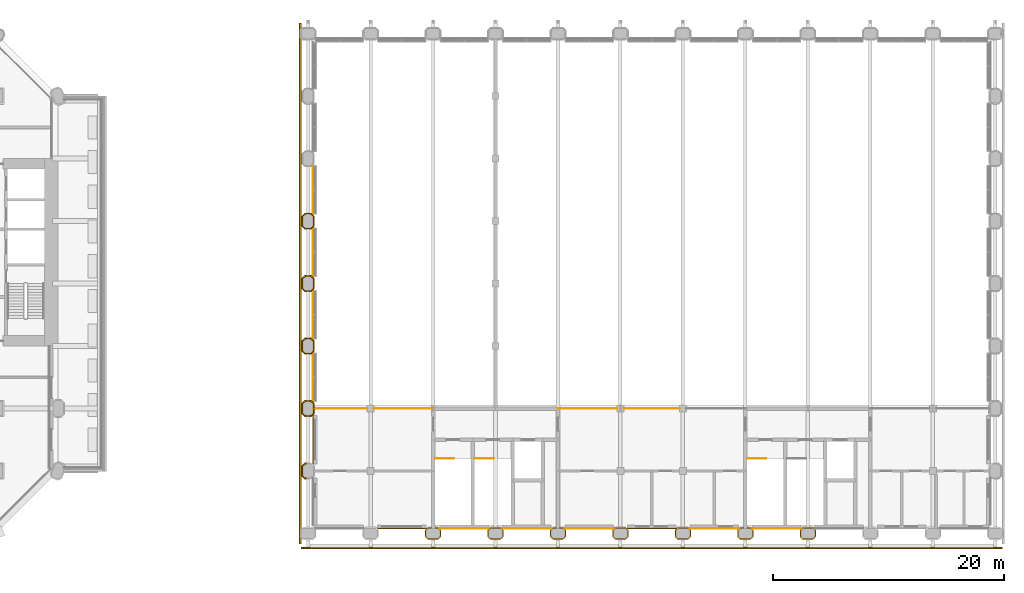
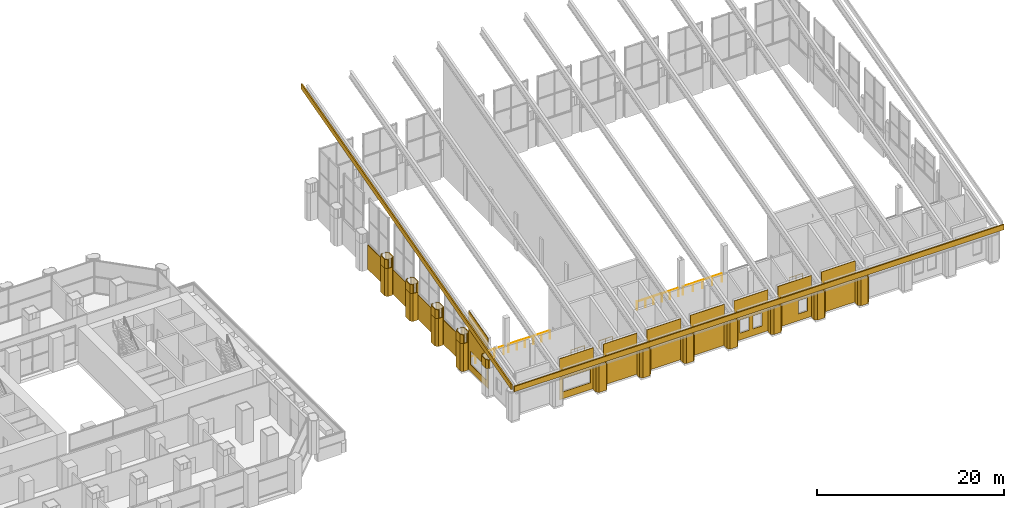
# One storey, part 39 of 42: 35 coverings, 7 railings.
"""IFC4 building model written with IfcOpenShell, lengths in metres."""

import ifcopenshell
import ifcopenshell.guid

model = None  # the IFC model being written
_history = None  # IfcOwnerHistory: only IFC2X3 demands one
_inside = {}  # id of a spatial element -> (the spatial element, [elements in it])
_under = {}  # id of a project, library or spatial element -> (it, [spatial elements below it])
_declared = {}  # id of a project -> (the project, [libraries it declares])
_typed = {}  # id of a type object -> (the type object, [elements of that type])
_made_of = {}  # id of a material, layer set ... -> (it, [elements and type objects made of it])


def new_model(schema):
    """Start an empty IFC model of exactly this schema.

    Asked for "IFC4X3", IfcOpenShell would pick the latest addendum, in which some entities
    have other attributes; the version numbers below select the first issue.
    IFC2X3 requires an IfcOwnerHistory on every rooted entity: one is made here for all.
    """
    global model, _history
    if schema == "IFC4X3":
        model = ifcopenshell.file(schema_version=(4, 3, 0, 0))
    else:
        model = ifcopenshell.file(schema=schema)
    _inside.clear()
    _under.clear()
    _declared.clear()
    _typed.clear()
    _made_of.clear()
    _history = None
    if model.schema == "IFC2X3":
        org = make("IfcOrganization", Name="unknown")
        user = make(
            "IfcPersonAndOrganization",
            ThePerson=make("IfcPerson", FamilyName="unknown"),
            TheOrganization=org,
        )
        app = make(
            "IfcApplication",
            ApplicationDeveloper=org,
            Version="unknown",
            ApplicationFullName="unknown",
            ApplicationIdentifier="unknown",
        )
        _history = make(
            "IfcOwnerHistory",
            OwningUser=user,
            OwningApplication=app,
            ChangeAction="ADDED",
            CreationDate=0,
        )
    return model


def make(cls, **values):
    """One entity of the class cls with the attributes given. An attribute that is None is left unset."""
    return model.create_entity(
        cls, **{name: value for name, value in values.items() if value is not None}
    )


def rooted(cls, **values):
    """An entity with a GlobalId (a new one), such as an element, a storey or a relation."""
    return make(cls, GlobalId=ifcopenshell.guid.new(), OwnerHistory=_history, **values)


def si_unit(unit_type, name, prefix=None):
    """IfcSIUnit, for example si_unit("LENGTHUNIT", "METRE", prefix="MILLI")."""
    return make("IfcSIUnit", UnitType=unit_type, Prefix=prefix, Name=name)


def assignment(units):
    """IfcUnitAssignment: the units of a project."""
    return None if units is None else make("IfcUnitAssignment", Units=units)


def point(xyz):
    """IfcCartesianPoint."""
    return None if xyz is None else make("IfcCartesianPoint", Coordinates=xyz)


def direction(xyz):
    """IfcDirection."""
    return None if xyz is None else make("IfcDirection", DirectionRatios=xyz)


def frame(location, z_axis=None, x_axis=None):
    """IfcAxis2Placement3D, a coordinate frame: its origin and axes. An axis left out is left unset."""
    return make(
        "IfcAxis2Placement3D",
        Location=point(location),
        Axis=direction(z_axis),
        RefDirection=direction(x_axis),
    )


def frame_2d(location, x_axis=None):
    """IfcAxis2Placement2D, a coordinate frame in the plane: its origin and x axis."""
    return make(
        "IfcAxis2Placement2D", Location=point(location), RefDirection=direction(x_axis)
    )


def origin():
    """The frame at (0, 0, 0) with its axes left unset."""
    return frame((0.0, 0.0, 0.0))


def origin_2d():
    """The frame at (0, 0) in the plane with its x axis left unset."""
    return frame_2d((0.0, 0.0))


def place(relative_to, where):
    """IfcLocalPlacement: puts the frame where relative to a parent placement (None: the world)."""
    return make(
        "IfcLocalPlacement", PlacementRelTo=relative_to, RelativePlacement=where
    )


def context(
    kind, dimensions, precision=None, world=None, true_north=None, identifier=None
):
    """IfcGeometricRepresentationContext, for example the 3D "Model" context."""
    return make(
        "IfcGeometricRepresentationContext",
        ContextIdentifier=identifier,
        ContextType=kind,
        CoordinateSpaceDimension=dimensions,
        Precision=precision,
        WorldCoordinateSystem=world,
        TrueNorth=true_north,
    )


def subcontext(parent, identifier, kind, view, scale=None):
    """IfcGeometricRepresentationSubContext, for example "Body" below "Model"."""
    return make(
        "IfcGeometricRepresentationSubContext",
        ContextIdentifier=identifier,
        ContextType=kind,
        ParentContext=parent,
        TargetScale=scale,
        TargetView=view,
    )


def project(units=None, contexts=None):
    """IfcProject with its units and contexts."""
    return rooted(
        "IfcProject",
        Name="project",
        RepresentationContexts=contexts,
        UnitsInContext=assignment(units),
    )


def spatial(cls, under=None, at=None, **own):
    """A site, building, storey or space (cls), placed at a placement, below another one or the project."""
    s = rooted(cls, ObjectPlacement=at, **own)
    if under is not None:
        _under.setdefault(under.id(), (under, []))[1].append(s)
    return s


def polyline(points):
    """IfcPolyline through the points."""
    return make("IfcPolyline", Points=[point(p) for p in points])


def profile(cls, at=None, kind="AREA", **sizes):
    """A parametric profile (cls). Its sizes go by their IFC names, for example OverallWidth=200.0."""
    return make(cls, ProfileType=kind, Position=at, **sizes)


def rectangle(**sizes):
    """IfcRectangleProfileDef."""
    return profile("IfcRectangleProfileDef", **sizes)


def circle(**sizes):
    """IfcCircleProfileDef."""
    return profile("IfcCircleProfileDef", **sizes)


def outline(outer, holes=None, kind="AREA"):
    """IfcArbitraryClosedProfileDef: a profile drawn as a closed curve; with holes, ...WithVoids."""
    if holes is None:
        return make("IfcArbitraryClosedProfileDef", ProfileType=kind, OuterCurve=outer)
    return make(
        "IfcArbitraryProfileDefWithVoids",
        ProfileType=kind,
        OuterCurve=outer,
        InnerCurves=holes,
    )


def extrude(swept, where, along, depth):
    """IfcExtrudedAreaSolid: the profile swept, set in the frame where, extruded along a direction by depth."""
    return make(
        "IfcExtrudedAreaSolid",
        SweptArea=swept,
        Position=where,
        ExtrudedDirection=direction(along),
        Depth=depth,
    )


def shape(context_of_items, identifier, shape_type, items):
    """IfcShapeRepresentation: the items that make up one representation, for example the "Body"."""
    return make(
        "IfcShapeRepresentation",
        ContextOfItems=context_of_items,
        RepresentationIdentifier=identifier,
        RepresentationType=shape_type,
        Items=items,
    )


def material(Name=None, Category=None):
    """IfcMaterial."""
    return make("IfcMaterial", Name=Name, Category=Category)


def layer(
    of_material, thickness, ventilated=None, Name=None, Category=None, Priority=None
):
    """IfcMaterialLayer: one layer of a wall or slab, of a material (None: an air gap)."""
    return make(
        "IfcMaterialLayer",
        Material=of_material,
        LayerThickness=thickness,
        IsVentilated=ventilated,
        Name=Name,
        Category=Category,
        Priority=Priority,
    )


def layer_set(layers, Name=None):
    """IfcMaterialLayerSet."""
    return make("IfcMaterialLayerSet", MaterialLayers=layers, LayerSetName=Name)


def made_of(thing, what):
    """Note that an element or type object is made of a material, layer set ...; save() writes the relation."""
    if what is not None:
        _made_of.setdefault(what.id(), (what, []))[1].append(thing)
    return thing


def type_object(cls, material=None, **own):
    """A type object (cls), such as IfcWallType, which elements share."""
    return made_of(rooted(cls, **own), material)


def element(
    cls,
    number,
    at=None,
    inside=None,
    cuts=None,
    type_object=None,
    material=None,
    context=None,
    identifier="Body",
    shape_type=None,
    held_by="IfcProductDefinitionShape",
    body=None,
    shapes=None,
    **own,
):
    """One element of the class cls, such as IfcWall. Its Tag is "e" and its number.

    at: its placement. inside: the storey or other place that contains it. cuts: it is an
    opening in that element (IfcRelVoidsElement). A single representation is given by context,
    identifier, shape_type and body (its items); several are given by shapes. held_by: the class
    of the entity that holds the representations. save() writes the other relations.
    """
    e = rooted(cls, Tag="e%d" % number, ObjectPlacement=at, **own)
    if body is not None:
        shapes = [shape(context, identifier, shape_type, body)]
    if shapes is not None:
        e.Representation = make(held_by, Representations=shapes)
    if inside is not None:
        _inside.setdefault(inside.id(), (inside, []))[1].append(e)
    if cuts is not None:
        rooted(
            "IfcRelVoidsElement", RelatingBuildingElement=cuts, RelatedOpeningElement=e
        )
    if type_object is not None:
        _typed.setdefault(type_object.id(), (type_object, []))[1].append(e)
    return made_of(e, material)


def aggregate(whole, parts):
    """IfcRelAggregates: a whole, such as a stair, and the parts it consists of."""
    return rooted("IfcRelAggregates", RelatingObject=whole, RelatedObjects=parts)


def save(model, path):
    """Write the relations noted so far, then the file.

    IfcRelAggregates (storeys below a building ...), IfcRelContainedInSpatialStructure (elements
    in a storey), IfcRelDefinesByType, IfcRelAssociatesMaterial and IfcRelDeclares: one each for
    every whole, place, type object, material and project.
    """
    for whole, parts in _under.values():
        aggregate(whole, parts)
    for where, things in _inside.values():
        rooted(
            "IfcRelContainedInSpatialStructure",
            RelatedElements=things,
            RelatingStructure=where,
        )
    for kind, things in _typed.values():
        rooted("IfcRelDefinesByType", RelatedObjects=things, RelatingType=kind)
    for what, things in _made_of.values():
        rooted("IfcRelAssociatesMaterial", RelatedObjects=things, RelatingMaterial=what)
    for by, libraries in _declared.values():
        rooted("IfcRelDeclares", RelatingContext=by, RelatedDefinitions=libraries)
    model.write(path)


model = new_model("IFC4")

# Units and contexts
model_context = context("Model", 3, precision=1e-05, world=origin(), true_north=direction((0.0, 1.0)))
body_context = subcontext(model_context, "Body", "Model", "MODEL_VIEW")
ifc_project = project(units=[si_unit("LENGTHUNIT", "METRE"), si_unit("AREAUNIT", "SQUARE_METRE"), si_unit("VOLUMEUNIT", "CUBIC_METRE"), si_unit("PLANEANGLEUNIT", "RADIAN"), si_unit("MASSUNIT", "GRAM", prefix="KILO")], contexts=[model_context])

# Site, building, storey
site_placement = place(None, origin())
site = spatial("IfcSite", under=ifc_project, at=site_placement, CompositionType="ELEMENT")
building_placement = place(site_placement, origin())
building = spatial("IfcBuilding", under=site, at=building_placement, Name="Tabaq Tower and Sports Hall", CompositionType="ELEMENT")
storey_placement = place(building_placement, frame((0.0, 0.0, 19.800048828125)))
storey = spatial("IfcBuildingStorey", under=building, at=storey_placement, Name="L03", CompositionType="ELEMENT", Elevation=19.800048828125)

# Coverings
ifc_material_1 = material(Name="Precast concrete C60/75", Category="concrete")
ifc_layer_1 = layer(ifc_material_1, 0.10009765625)
ifc_layer_set_1 = layer_set([ifc_layer_1], Name="Column cladding 100")
covering_type_1 = type_object("IfcCoveringType", Name="Column cladding 100", PredefinedType="CLADDING", material=ifc_layer_set_1)
covering_1_placement = place(storey_placement, frame((0.0, 0.0, 3.658935546875)))
element("IfcCovering", 1, at=covering_1_placement, inside=storey, type_object=covering_type_1, Name="Column cladding L03 HC-13B head", PredefinedType="CLADDING", context=body_context, shape_type="SweptSolid", body=[
    extrude(outline(polyline([(64.250244140625, 4.958740234375), (64.250244140625, 5.84130859375), (64.5087890625, 6.099609375), (64.64697265625, 6.099609375), (64.64697265625, 6.000244140625), (64.5498046875, 6.000244140625), (64.349609375, 5.800048828125), (64.349609375, 4.999755859375), (64.5498046875, 4.7998046875), (64.64697265625, 4.7998046875), (64.64697265625, 4.7001953125), (64.5087890625, 4.7001953125), (64.250244140625, 4.958740234375)])), origin(), (0.0, 0.0, 1.0), 1.14111328125),
])
covering_2_placement = place(storey_placement, origin())
element("IfcCovering", 2, at=covering_2_placement, inside=storey, type_object=covering_type_1, Name="Column cladding L03 HC-13C", PredefinedType="CLADDING", context=body_context, shape_type="SweptSolid", body=[
    extrude(outline(polyline([(64.5087890625, 10.100341796875), (64.250244140625, 10.358642578125), (64.250244140625, 11.2412109375), (64.5087890625, 11.499755859375), (65.09130859375, 11.499755859375), (65.349609375, 11.2412109375), (65.349609375, 10.84033203125), (65.250244140625, 10.84033203125), (65.250244140625, 11.2001953125), (65.050048828125, 11.400390625), (64.5498046875, 11.400390625), (64.349609375, 11.2001953125), (64.349609375, 10.39990234375), (64.5498046875, 10.19970703125), (65.050048828125, 10.19970703125), (65.250244140625, 10.39990234375), (65.250244140625, 10.759765625), (65.349609375, 10.759765625), (65.349609375, 10.358642578125), (65.09130859375, 10.100341796875), (64.5087890625, 10.100341796875)])), origin(), (0.0, 0.0, 1.0), 3.658935546875),
])
covering_3_placement = place(storey_placement, frame((0.0, 0.0, 3.658935546875)))
element("IfcCovering", 3, at=covering_3_placement, inside=storey, type_object=covering_type_1, Name="Column cladding L03 HC-13C head", PredefinedType="CLADDING", context=body_context, shape_type="SweptSolid", body=[
    extrude(outline(polyline([(64.250244140625, 10.358642578125), (64.250244140625, 11.2412109375), (64.5087890625, 11.499755859375), (64.64697265625, 11.499755859375), (64.64697265625, 11.400390625), (64.5498046875, 11.400390625), (64.349609375, 11.2001953125), (64.349609375, 10.39990234375), (64.5498046875, 10.19970703125), (64.64697265625, 10.19970703125), (64.64697265625, 10.100341796875), (64.5087890625, 10.100341796875), (64.250244140625, 10.358642578125)])), origin(), (0.0, 0.0, 1.0), 1.14111328125),
])
covering_4_placement = place(storey_placement, frame((0.0, 0.0, 3.658935546875)))
element("IfcCovering", 4, at=covering_4_placement, inside=storey, type_object=covering_type_1, Name="Column cladding L03 HC-13C head 2", PredefinedType="CLADDING", context=body_context, shape_type="SweptSolid", body=[
    extrude(outline(polyline([(65.050048828125, 10.19970703125), (65.250244140625, 10.39990234375), (65.250244140625, 10.759765625), (65.349609375, 10.759765625), (65.349609375, 10.358642578125), (65.09130859375, 10.100341796875), (64.952880859375, 10.100341796875), (64.952880859375, 10.19970703125), (65.050048828125, 10.19970703125)])), origin(), (0.0, 0.0, 1.0), 1.14111328125),
])
covering_5_placement = place(storey_placement, frame((0.0, 0.0, 3.658935546875)))
element("IfcCovering", 5, at=covering_5_placement, inside=storey, type_object=covering_type_1, Name="Column cladding L03 HC-13C head 3", PredefinedType="CLADDING", context=body_context, shape_type="SweptSolid", body=[
    extrude(outline(polyline([(65.09130859375, 11.499755859375), (65.349609375, 11.2412109375), (65.349609375, 10.84033203125), (65.250244140625, 10.84033203125), (65.250244140625, 11.2001953125), (65.050048828125, 11.400390625), (64.952880859375, 11.400390625), (64.952880859375, 11.499755859375), (65.09130859375, 11.499755859375)])), origin(), (0.0, 0.0, 1.0), 1.14111328125),
])
covering_6_placement = place(storey_placement, origin())
element("IfcCovering", 6, at=covering_6_placement, inside=storey, type_object=covering_type_1, Name="Column cladding L03 HC-13D", PredefinedType="CLADDING", context=body_context, shape_type="SweptSolid", body=[
    extrude(outline(polyline([(65.09130859375, 15.500244140625), (64.5087890625, 15.500244140625), (64.250244140625, 15.7587890625), (64.250244140625, 16.641357421875), (64.5087890625, 16.899658203125), (65.09130859375, 16.899658203125), (65.349609375, 16.641357421875), (65.349609375, 15.7587890625), (65.09130859375, 15.500244140625)]), holes=[polyline([(65.250244140625, 16.60009765625), (65.050048828125, 16.80029296875), (64.5498046875, 16.80029296875), (64.349609375, 16.60009765625), (64.349609375, 15.7998046875), (64.5498046875, 15.599609375), (65.050048828125, 15.599609375), (65.250244140625, 15.7998046875), (65.250244140625, 16.60009765625)])]), origin(), (0.0, 0.0, 1.0), 3.658935546875),
])
covering_7_placement = place(storey_placement, frame((0.0, 0.0, 3.658935546875)))
element("IfcCovering", 7, at=covering_7_placement, inside=storey, type_object=covering_type_1, Name="Column cladding L03 HC-13D head", PredefinedType="CLADDING", context=body_context, shape_type="SweptSolid", body=[
    extrude(outline(polyline([(64.5087890625, 15.500244140625), (64.250244140625, 15.7587890625), (64.250244140625, 16.641357421875), (64.5087890625, 16.899658203125), (64.64697265625, 16.899658203125), (64.64697265625, 16.80029296875), (64.5498046875, 16.80029296875), (64.349609375, 16.60009765625), (64.349609375, 15.7998046875), (64.5498046875, 15.599609375), (64.64697265625, 15.599609375), (64.64697265625, 15.500244140625), (64.5087890625, 15.500244140625)])), origin(), (0.0, 0.0, 1.0), 1.14111328125),
])
covering_8_placement = place(storey_placement, frame((0.0, 0.0, 3.658935546875)))
element("IfcCovering", 8, at=covering_8_placement, inside=storey, type_object=covering_type_1, Name="Column cladding L03 HC-13D head 2", PredefinedType="CLADDING", context=body_context, shape_type="SweptSolid", body=[
    extrude(outline(polyline([(64.952880859375, 15.500244140625), (64.952880859375, 15.599609375), (65.050048828125, 15.599609375), (65.250244140625, 15.7998046875), (65.250244140625, 16.60009765625), (65.050048828125, 16.80029296875), (64.952880859375, 16.80029296875), (64.952880859375, 16.899658203125), (65.09130859375, 16.899658203125), (65.349609375, 16.641357421875), (65.349609375, 15.7587890625), (65.09130859375, 15.500244140625), (64.952880859375, 15.500244140625)])), origin(), (0.0, 0.0, 1.0), 1.14111328125),
])
covering_9_placement = place(storey_placement, origin())
element("IfcCovering", 9, at=covering_9_placement, inside=storey, type_object=covering_type_1, Name="Column cladding L03 HC-13E", PredefinedType="CLADDING", context=body_context, shape_type="SweptSolid", body=[
    extrude(outline(polyline([(65.09130859375, 20.900390625), (64.5087890625, 20.900390625), (64.250244140625, 21.15869140625), (64.250244140625, 22.041259765625), (64.5087890625, 22.2998046875), (65.09130859375, 22.2998046875), (65.349609375, 22.041259765625), (65.349609375, 21.15869140625), (65.09130859375, 20.900390625)]), holes=[polyline([(65.250244140625, 22.000244140625), (65.050048828125, 22.2001953125), (64.5498046875, 22.2001953125), (64.349609375, 22.000244140625), (64.349609375, 21.199951171875), (64.5498046875, 20.999755859375), (65.050048828125, 20.999755859375), (65.250244140625, 21.199951171875), (65.250244140625, 22.000244140625)])]), origin(), (0.0, 0.0, 1.0), 3.658935546875),
])
covering_10_placement = place(storey_placement, frame((0.0, 0.0, 3.658935546875)))
element("IfcCovering", 10, at=covering_10_placement, inside=storey, type_object=covering_type_1, Name="Column cladding L03 HC-13E head", PredefinedType="CLADDING", context=body_context, shape_type="SweptSolid", body=[
    extrude(outline(polyline([(64.5087890625, 20.900390625), (64.250244140625, 21.15869140625), (64.250244140625, 22.041259765625), (64.5087890625, 22.2998046875), (64.64697265625, 22.2998046875), (64.64697265625, 22.2001953125), (64.5498046875, 22.2001953125), (64.349609375, 22.000244140625), (64.349609375, 21.199951171875), (64.5498046875, 20.999755859375), (64.64697265625, 20.999755859375), (64.64697265625, 20.900390625), (64.5087890625, 20.900390625)])), origin(), (0.0, 0.0, 1.0), 1.14111328125),
])
covering_11_placement = place(storey_placement, frame((0.0, 0.0, 3.658935546875)))
element("IfcCovering", 11, at=covering_11_placement, inside=storey, type_object=covering_type_1, Name="Column cladding L03 HC-13E head 2", PredefinedType="CLADDING", context=body_context, shape_type="SweptSolid", body=[
    extrude(outline(polyline([(64.952880859375, 20.900390625), (64.952880859375, 20.999755859375), (65.050048828125, 20.999755859375), (65.250244140625, 21.199951171875), (65.250244140625, 22.000244140625), (65.050048828125, 22.2001953125), (64.952880859375, 22.2001953125), (64.952880859375, 22.2998046875), (65.09130859375, 22.2998046875), (65.349609375, 22.041259765625), (65.349609375, 21.15869140625), (65.09130859375, 20.900390625), (64.952880859375, 20.900390625)])), origin(), (0.0, 0.0, 1.0), 1.14111328125),
])
covering_12_placement = place(storey_placement, origin())
element("IfcCovering", 12, at=covering_12_placement, inside=storey, type_object=covering_type_1, Name="Column cladding L03 HC-13F", PredefinedType="CLADDING", context=body_context, shape_type="SweptSolid", body=[
    extrude(outline(polyline([(65.09130859375, 26.30029296875), (64.5087890625, 26.30029296875), (64.250244140625, 26.55859375), (64.250244140625, 27.44140625), (64.5087890625, 27.69970703125), (65.09130859375, 27.69970703125), (65.349609375, 27.44140625), (65.349609375, 26.55859375), (65.09130859375, 26.30029296875)]), holes=[polyline([(65.250244140625, 27.400146484375), (65.050048828125, 27.600341796875), (64.5498046875, 27.600341796875), (64.349609375, 27.400146484375), (64.349609375, 26.599853515625), (64.5498046875, 26.399658203125), (65.050048828125, 26.399658203125), (65.250244140625, 26.599853515625), (65.250244140625, 27.400146484375)])]), origin(), (0.0, 0.0, 1.0), 3.658935546875),
])
covering_13_placement = place(storey_placement, frame((0.0, 0.0, 3.658935546875)))
element("IfcCovering", 13, at=covering_13_placement, inside=storey, type_object=covering_type_1, Name="Column cladding L03 HC-13F head", PredefinedType="CLADDING", context=body_context, shape_type="SweptSolid", body=[
    extrude(outline(polyline([(64.952880859375, 26.30029296875), (64.952880859375, 26.399658203125), (65.050048828125, 26.399658203125), (65.250244140625, 26.599853515625), (65.250244140625, 27.400146484375), (65.050048828125, 27.600341796875), (64.952880859375, 27.600341796875), (64.952880859375, 27.69970703125), (65.09130859375, 27.69970703125), (65.349609375, 27.44140625), (65.349609375, 26.55859375), (65.09130859375, 26.30029296875), (64.952880859375, 26.30029296875)])), origin(), (0.0, 0.0, 1.0), 1.14111328125),
])
covering_14_placement = place(storey_placement, frame((0.0, 0.0, 3.658935546875)))
element("IfcCovering", 14, at=covering_14_placement, inside=storey, type_object=covering_type_1, Name="Column cladding L03 HC-13F head 2", PredefinedType="CLADDING", context=body_context, shape_type="SweptSolid", body=[
    extrude(outline(polyline([(64.5087890625, 26.30029296875), (64.250244140625, 26.55859375), (64.250244140625, 27.44140625), (64.5087890625, 27.69970703125), (64.64697265625, 27.69970703125), (64.64697265625, 27.600341796875), (64.5498046875, 27.600341796875), (64.349609375, 27.400146484375), (64.349609375, 26.599853515625), (64.5498046875, 26.399658203125), (64.64697265625, 26.399658203125), (64.64697265625, 26.30029296875), (64.5087890625, 26.30029296875)])), origin(), (0.0, 0.0, 1.0), 1.14111328125),
])
covering_15_placement = place(storey_placement, origin())
element("IfcCovering", 15, at=covering_15_placement, inside=storey, type_object=covering_type_1, Name="Column cladding L03 HC-15A", PredefinedType="CLADDING", context=body_context, shape_type="SweptSolid", body=[
    extrude(outline(polyline([(74.900390625, 0.291259765625), (75.15869140625, 0.5498046875), (75.44970703125, 0.5498046875), (75.44970703125, 0.4501953125), (75.199951171875, 0.4501953125), (74.999755859375, 0.250244140625), (74.999755859375, -0.250244140625), (75.199951171875, -0.4501953125), (76.000244140625, -0.4501953125), (76.2001953125, -0.250244140625), (76.2001953125, 0.250244140625), (76.000244140625, 0.4501953125), (75.750244140625, 0.4501953125), (75.750244140625, 0.5498046875), (76.041259765625, 0.5498046875), (76.2998046875, 0.291259765625), (76.2998046875, -0.291259765625), (76.041259765625, -0.5498046875), (75.15869140625, -0.5498046875), (74.900390625, -0.291259765625), (74.900390625, 0.291259765625)])), origin(), (0.0, 0.0, 1.0), 3.658935546875),
])
covering_16_placement = place(storey_placement, origin())
element("IfcCovering", 16, at=covering_16_placement, inside=storey, type_object=covering_type_1, Name="Column cladding L03 HC-16A", PredefinedType="CLADDING", context=body_context, shape_type="SweptSolid", body=[
    extrude(outline(polyline([(80.30029296875, -0.291259765625), (80.30029296875, 0.291259765625), (80.55859375, 0.5498046875), (81.44140625, 0.5498046875), (81.69970703125, 0.291259765625), (81.69970703125, -0.291259765625), (81.44140625, -0.5498046875), (80.55859375, -0.5498046875), (80.30029296875, -0.291259765625)]), holes=[polyline([(81.400146484375, -0.4501953125), (81.600341796875, -0.250244140625), (81.600341796875, 0.250244140625), (81.400146484375, 0.4501953125), (80.599853515625, 0.4501953125), (80.399658203125, 0.250244140625), (80.399658203125, -0.250244140625), (80.599853515625, -0.4501953125), (81.400146484375, -0.4501953125)])]), origin(), (0.0, 0.0, 1.0), 3.658935546875),
])
covering_17_placement = place(storey_placement, origin())
element("IfcCovering", 17, at=covering_17_placement, inside=storey, type_object=covering_type_1, Name="Column cladding L03 HC-17A", PredefinedType="CLADDING", context=body_context, shape_type="SweptSolid", body=[
    extrude(outline(polyline([(85.7001953125, 0.291259765625), (85.958740234375, 0.5498046875), (86.249755859375, 0.5498046875), (86.249755859375, 0.4501953125), (85.999755859375, 0.4501953125), (85.7998046875, 0.250244140625), (85.7998046875, -0.250244140625), (85.999755859375, -0.4501953125), (86.800048828125, -0.4501953125), (87.000244140625, -0.250244140625), (87.000244140625, 0.250244140625), (86.800048828125, 0.4501953125), (86.55029296875, 0.4501953125), (86.55029296875, 0.5498046875), (86.84130859375, 0.5498046875), (87.099609375, 0.291259765625), (87.099609375, -0.291259765625), (86.84130859375, -0.5498046875), (85.958740234375, -0.5498046875), (85.7001953125, -0.291259765625), (85.7001953125, 0.291259765625)])), origin(), (0.0, 0.0, 1.0), 3.658935546875),
])
covering_18_placement = place(storey_placement, origin())
element("IfcCovering", 18, at=covering_18_placement, inside=storey, type_object=covering_type_1, Name="Column cladding L03 HC-18A", PredefinedType="CLADDING", context=body_context, shape_type="SweptSolid", body=[
    extrude(outline(polyline([(91.100341796875, -0.291259765625), (91.100341796875, 0.291259765625), (91.358642578125, 0.5498046875), (92.2412109375, 0.5498046875), (92.499755859375, 0.291259765625), (92.499755859375, -0.291259765625), (92.2412109375, -0.5498046875), (91.358642578125, -0.5498046875), (91.100341796875, -0.291259765625)]), holes=[polyline([(92.2001953125, -0.4501953125), (92.400390625, -0.250244140625), (92.400390625, 0.250244140625), (92.2001953125, 0.4501953125), (91.39990234375, 0.4501953125), (91.19970703125, 0.250244140625), (91.19970703125, -0.250244140625), (91.39990234375, -0.4501953125), (92.2001953125, -0.4501953125)])]), origin(), (0.0, 0.0, 1.0), 3.658935546875),
])
covering_19_placement = place(storey_placement, origin())
element("IfcCovering", 19, at=covering_19_placement, inside=storey, type_object=covering_type_1, Name="Column cladding L03 HC-19A", PredefinedType="CLADDING", context=body_context, shape_type="SweptSolid", body=[
    extrude(outline(polyline([(96.500244140625, -0.291259765625), (96.500244140625, 0.291259765625), (96.7587890625, 0.5498046875), (97.641357421875, 0.5498046875), (97.899658203125, 0.291259765625), (97.899658203125, -0.291259765625), (97.641357421875, -0.5498046875), (96.7587890625, -0.5498046875), (96.500244140625, -0.291259765625)]), holes=[polyline([(97.60009765625, -0.4501953125), (97.80029296875, -0.250244140625), (97.80029296875, 0.250244140625), (97.60009765625, 0.4501953125), (96.7998046875, 0.4501953125), (96.599609375, 0.250244140625), (96.599609375, -0.250244140625), (96.7998046875, -0.4501953125), (97.60009765625, -0.4501953125)])]), origin(), (0.0, 0.0, 1.0), 3.658935546875),
])
covering_20_placement = place(storey_placement, origin())
element("IfcCovering", 20, at=covering_20_placement, inside=storey, type_object=covering_type_1, Name="Column cladding L03 HC-20A", PredefinedType="CLADDING", context=body_context, shape_type="SweptSolid", body=[
    extrude(outline(polyline([(101.900390625, 0.291259765625), (102.15869140625, 0.5498046875), (102.44970703125, 0.5498046875), (102.44970703125, 0.4501953125), (102.199951171875, 0.4501953125), (101.999755859375, 0.250244140625), (101.999755859375, -0.250244140625), (102.199951171875, -0.4501953125), (103.000244140625, -0.4501953125), (103.2001953125, -0.250244140625), (103.2001953125, 0.250244140625), (103.000244140625, 0.4501953125), (102.750244140625, 0.4501953125), (102.750244140625, 0.5498046875), (103.041259765625, 0.5498046875), (103.2998046875, 0.291259765625), (103.2998046875, -0.291259765625), (103.041259765625, -0.5498046875), (102.15869140625, -0.5498046875), (101.900390625, -0.291259765625), (101.900390625, 0.291259765625)])), origin(), (0.0, 0.0, 1.0), 3.658935546875),
])
covering_21_placement = place(storey_placement, origin())
element("IfcCovering", 21, at=covering_21_placement, inside=storey, type_object=covering_type_1, Name="Column cladding L03 HC-21A", PredefinedType="CLADDING", context=body_context, shape_type="SweptSolid", body=[
    extrude(outline(polyline([(107.30029296875, -0.291259765625), (107.30029296875, 0.291259765625), (107.55859375, 0.5498046875), (108.44140625, 0.5498046875), (108.69970703125, 0.291259765625), (108.69970703125, -0.291259765625), (108.44140625, -0.5498046875), (107.55859375, -0.5498046875), (107.30029296875, -0.291259765625)]), holes=[polyline([(108.400146484375, -0.4501953125), (108.600341796875, -0.250244140625), (108.600341796875, 0.250244140625), (108.400146484375, 0.4501953125), (107.599853515625, 0.4501953125), (107.399658203125, 0.250244140625), (107.399658203125, -0.250244140625), (107.599853515625, -0.4501953125), (108.400146484375, -0.4501953125)])]), origin(), (0.0, 0.0, 1.0), 3.658935546875),
])

# Railings
ifc_material_2 = material(Name="Stainless steel and glass balustrade", Category="steel")
railing_type = type_object("IfcRailingType", Name="HALL GUARD 1100", PredefinedType="GUARDRAIL", material=ifc_material_2)
railing_1_placement = place(storey_placement, frame((75.75, 6.5, 0.0)))
element("IfcRailing", 22, at=railing_1_placement, inside=storey, type_object=railing_type, Name="L03 ST-H1 top well guard 1", PredefinedType="GUARDRAIL", context=body_context, shape_type="SweptSolid", body=[
    extrude(circle(Radius=0.02392578125, at=origin_2d()), frame((0.0, 0.0, 1.076171875), z_axis=(1.0, 0.0, 0.0), x_axis=(0.0, 1.0, 0.0)), (0.0, 0.0, 1.0), 1.64990234375),
    extrude(circle(Radius=0.02099609375, at=origin_2d()), origin(), (0.0, 0.0, 1.0), 1.052001953125),
    extrude(circle(Radius=0.02099609375, at=origin_2d()), frame((0.824951171875, 0.0, 0.0)), (0.0, 0.0, 1.0), 1.052001953125),
    extrude(circle(Radius=0.02099609375, at=origin_2d()), frame((1.64990234375, 0.0, 0.0)), (0.0, 0.0, 1.0), 1.052001953125),
])
railing_2_placement = place(storey_placement, frame((79.199951171875, 6.5, 0.0)))
element("IfcRailing", 23, at=railing_2_placement, inside=storey, type_object=railing_type, Name="L03 ST-H2 top well guard 1", PredefinedType="GUARDRAIL", context=body_context, shape_type="SweptSolid", body=[
    extrude(circle(Radius=0.02392578125, at=origin_2d()), frame((0.0, 0.0, 1.076171875), z_axis=(1.0, 0.0, 0.0), x_axis=(0.0, 1.0, 0.0)), (0.0, 0.0, 1.0), 1.650146484375),
    extrude(circle(Radius=0.02099609375, at=origin_2d()), origin(), (0.0, 0.0, 1.0), 1.052001953125),
    extrude(circle(Radius=0.02099609375, at=origin_2d()), frame((0.8251953125, 0.0, 0.0)), (0.0, 0.0, 1.0), 1.052001953125),
    extrude(circle(Radius=0.02099609375, at=origin_2d()), frame((1.650146484375, 0.0, 0.0)), (0.0, 0.0, 1.0), 1.052001953125),
])
railing_3_placement = place(storey_placement, frame((102.75, 6.5, 0.0)))
element("IfcRailing", 24, at=railing_3_placement, inside=storey, type_object=railing_type, Name="L03 ST-H3 top well guard 1", PredefinedType="GUARDRAIL", context=body_context, shape_type="SweptSolid", body=[
    extrude(circle(Radius=0.02392578125, at=origin_2d()), frame((0.0, 0.0, 1.076171875), z_axis=(1.0, 0.0, 0.0), x_axis=(0.0, 1.0, 0.0)), (0.0, 0.0, 1.0), 1.64990234375),
    extrude(circle(Radius=0.02099609375, at=origin_2d()), origin(), (0.0, 0.0, 1.0), 1.052001953125),
    extrude(circle(Radius=0.02099609375, at=origin_2d()), frame((0.824951171875, 0.0, 0.0)), (0.0, 0.0, 1.0), 1.052001953125),
    extrude(circle(Radius=0.02099609375, at=origin_2d()), frame((1.64990234375, 0.0, 0.0)), (0.0, 0.0, 1.0), 1.052001953125),
])
railing_4_placement = place(storey_placement, frame((65.25, 10.800048828125, 0.0)))
element("IfcRailing", 25, at=railing_4_placement, inside=storey, type_object=railing_type, Name="L03 gallery guard", PredefinedType="GUARDRAIL", context=body_context, shape_type="SweptSolid", body=[
    extrude(circle(Radius=0.02392578125, at=origin_2d()), frame((0.0, 0.0, 1.076171875), z_axis=(1.0, 0.0, 0.0), x_axis=(0.0, 1.0, 0.0)), (0.0, 0.0, 1.0), 4.64990234375),
    extrude(circle(Radius=0.02099609375, at=origin_2d()), origin(), (0.0, 0.0, 1.0), 1.052001953125),
    extrude(circle(Radius=0.02099609375, at=origin_2d()), frame((1.16259765625, 0.0, 0.0)), (0.0, 0.0, 1.0), 1.052001953125),
    extrude(circle(Radius=0.02099609375, at=origin_2d()), frame((2.324951171875, 0.0, 0.0)), (0.0, 0.0, 1.0), 1.052001953125),
    extrude(circle(Radius=0.02099609375, at=origin_2d()), frame((3.4873046875, 0.0, 0.0)), (0.0, 0.0, 1.0), 1.052001953125),
    extrude(circle(Radius=0.02099609375, at=origin_2d()), frame((4.64990234375, 0.0, 0.0)), (0.0, 0.0, 1.0), 1.052001953125),
])
for number, where, name in (
    (26, (70.5, 10.800048828125, 0.0), "L03 gallery guard"),
    (27, (86.39990234375, 10.800048828125, 0.0), "L03 gallery guard"),
):
    element("IfcRailing", number, at=place(storey_placement, frame(where)), inside=storey, type_object=railing_type, Name=name, PredefinedType="GUARDRAIL", context=body_context, shape_type="SweptSolid", body=[
        extrude(circle(Radius=0.02392578125, at=origin_2d()), frame((0.0, 0.0, 1.076171875), z_axis=(1.0, 0.0, 0.0), x_axis=(0.0, 1.0, 0.0)), (0.0, 0.0, 1.0), 5.10009765625),
        extrude(circle(Radius=0.02099609375, at=origin_2d()), origin(), (0.0, 0.0, 1.0), 1.052001953125),
        extrude(circle(Radius=0.02099609375, at=origin_2d()), frame((1.02001953125, 0.0, 0.0)), (0.0, 0.0, 1.0), 1.052001953125),
        extrude(circle(Radius=0.02099609375, at=origin_2d()), frame((2.0400390625, 0.0, 0.0)), (0.0, 0.0, 1.0), 1.052001953125),
        extrude(circle(Radius=0.02099609375, at=origin_2d()), frame((3.06005859375, 0.0, 0.0)), (0.0, 0.0, 1.0), 1.052001953125),
        extrude(circle(Radius=0.02099609375, at=origin_2d()), frame((4.080078125, 0.0, 0.0)), (0.0, 0.0, 1.0), 1.052001953125),
        extrude(circle(Radius=0.02099609375, at=origin_2d()), frame((5.10009765625, 0.0, 0.0)), (0.0, 0.0, 1.0), 1.052001953125),
    ])
railing_5_placement = place(storey_placement, frame((92.10009765625, 10.800048828125, 0.0)))
element("IfcRailing", 28, at=railing_5_placement, inside=storey, type_object=railing_type, Name="L03 gallery guard", PredefinedType="GUARDRAIL", context=body_context, shape_type="SweptSolid", body=[
    extrude(circle(Radius=0.02392578125, at=origin_2d()), frame((0.0, 0.0, 1.076171875), z_axis=(1.0, 0.0, 0.0), x_axis=(0.0, 1.0, 0.0)), (0.0, 0.0, 1.0), 4.7998046875),
    extrude(circle(Radius=0.02099609375, at=origin_2d()), origin(), (0.0, 0.0, 1.0), 1.052001953125),
    extrude(circle(Radius=0.02099609375, at=origin_2d()), frame((1.199951171875, 0.0, 0.0)), (0.0, 0.0, 1.0), 1.052001953125),
    extrude(circle(Radius=0.02099609375, at=origin_2d()), frame((2.39990234375, 0.0, 0.0)), (0.0, 0.0, 1.0), 1.052001953125),
    extrude(circle(Radius=0.02099609375, at=origin_2d()), frame((3.599853515625, 0.0, 0.0)), (0.0, 0.0, 1.0), 1.052001953125),
    extrude(circle(Radius=0.02099609375, at=origin_2d()), frame((4.7998046875, 0.0, 0.0)), (0.0, 0.0, 1.0), 1.052001953125),
])

# Coverings
ifc_material_3 = material(Name="Precast concrete C60/75", Category="concrete")
ifc_layer_2 = layer(ifc_material_3, 0.14990234375)
ifc_layer_set_2 = layer_set([ifc_layer_2], Name="Tray fascia 1200")
covering_type_2 = type_object("IfcCoveringType", Name="Tray fascia 1200", PredefinedType="CLADDING", material=ifc_layer_set_2)
covering_22_placement = place(storey_placement, frame((64.199951171875, -1.2548828125, 4.37841796875), z_axis=(0.0, 0.0, 1.0), x_axis=(1.0, 0.0, 0.0)))
element("IfcCovering", 29, at=covering_22_placement, inside=storey, type_object=covering_type_2, Name="Roof fascia cladding S", PredefinedType="CLADDING", context=body_context, shape_type="SweptSolid", body=[
    extrude(rectangle(XDim=60.60009765625, YDim=0.14990234375, at=frame_2d((30.300048828125, 0.0))), origin(), (0.0, 0.0, 1.0), 0.699951171875),
])
covering_23_placement = place(storey_placement, frame((64.050048828125, -0.89990234375, 5.15869140625), z_axis=(-1.0, 0.0, 0.0), x_axis=(0.0, 0.965925033857, 0.25882200248)))
element("IfcCovering", 30, at=covering_23_placement, inside=storey, type_object=covering_type_2, Name="Roof verge cladding W", PredefinedType="CLADDING", context=body_context, shape_type="SweptSolid", body=[
    extrude(outline(polyline([(0.0, 0.0), (46.58746633815036, 1.7763568394002505e-15), (46.406303574207215, 0.6761003593917625), (-0.18116276394314054, 0.6761003593917605), (0.0, 0.0)])), origin(), (0.0, 0.0, -1.0), 0.14990234375),
])
ifc_material_4 = material(Name="Precast concrete C60/75", Category="concrete")
ifc_layer_3 = layer(ifc_material_4, 0.06005859375)
ifc_layer_set_3 = layer_set([ifc_layer_3], Name="White precast cladding panel 60 C60/75")
covering_type_3 = type_object("IfcCoveringType", Name="White precast cladding panel 60 C60/75", PredefinedType="CLADDING", material=ifc_layer_set_3)
covering_24_placement = place(storey_placement, frame((70.800048828125, 0.419921875, 0.0), z_axis=(0.0, 0.0, 1.0), x_axis=(1.0, 0.0, 0.0)))
element("IfcCovering", 31, at=covering_24_placement, inside=storey, type_object=covering_type_3, Name="White precast cladding panel L03 L03", PredefinedType="CLADDING", context=body_context, shape_type="SweptSolid", body=[
    extrude(outline(polyline([(0.0, 0.0), (4.199951171875, 0.0), (4.199951171875, 5.365234375), (0.0, 5.365234375), (0.0, 0.0)]), holes=[polyline([(0.389892578125, 0.889892578125), (0.389892578125, 2.60986328125), (3.81005859375, 2.60986328125), (3.81005859375, 0.889892578125), (0.389892578125, 0.889892578125)])]), frame((0.0, 0.030029296875, 0.0), z_axis=(0.0, -1.0, 0.0), x_axis=(1.0, 0.0, 0.0)), (0.0, 0.0, 1.0), 0.06005859375),
])
for number, where, z_axis, x_axis, name in (
    (32, (76.199951171875, 0.419921875, 0.0), (0.0, 0.0, 1.0), (1.0, 0.0, 0.0), "White precast cladding panel L03 L03"),
    (33, (81.60009765625, 0.419921875, 0.0), (0.0, 0.0, 1.0), (1.0, 0.0, 0.0), "White precast cladding panel L03 L03"),
    (34, (87.0, 0.419921875, 0.0), (0.0, 0.0, 1.0), (1.0, 0.0, 0.0), "White precast cladding panel L03 L03"),
):
    element("IfcCovering", number, at=place(storey_placement, frame(where, z_axis=z_axis, x_axis=x_axis)), inside=storey, type_object=covering_type_3, Name=name, PredefinedType="CLADDING", context=body_context, shape_type="SweptSolid", body=[
        extrude(outline(polyline([(0.0, 0.0), (4.199951171875, 0.0), (4.199951171875, 5.365234375), (0.0, 5.365234375), (0.0, 0.0)])), frame((0.0, 0.030029296875, 0.0), z_axis=(0.0, -1.0, 0.0), x_axis=(1.0, 0.0, 0.0)), (0.0, 0.0, 1.0), 0.06005859375),
    ])
covering_25_placement = place(storey_placement, frame((92.39990234375, 0.419921875, 0.0), z_axis=(0.0, 0.0, 1.0), x_axis=(1.0, 0.0, 0.0)))
element("IfcCovering", 35, at=covering_25_placement, inside=storey, type_object=covering_type_3, Name="White precast cladding panel L03 L03", PredefinedType="CLADDING", context=body_context, shape_type="SweptSolid", body=[
    extrude(outline(polyline([(0.0, 0.0), (4.2001953125, 0.0), (4.199951171875, 5.365234375), (0.0, 5.365234375), (0.0, 0.0)]), holes=[polyline([(0.739990234375, 2.60986328125), (1.860107421875, 2.60986328125), (1.860107421875, 0.889892578125), (0.739990234375, 0.889892578125), (0.739990234375, 2.60986328125)]), polyline([(2.340087890625, 2.60986328125), (3.4599609375, 2.60986328125), (3.4599609375, 0.889892578125), (2.340087890625, 0.889892578125), (2.340087890625, 2.60986328125)])]), frame((0.0, 0.030029296875, 0.0), z_axis=(0.0, -1.0, 0.0), x_axis=(1.0, 0.0, 0.0)), (0.0, 0.0, 1.0), 0.06005859375),
])
covering_26_placement = place(storey_placement, frame((97.800048828125, 0.419921875, 0.0), z_axis=(0.0, 0.0, 1.0), x_axis=(1.0, 0.0, 0.0)))
element("IfcCovering", 36, at=covering_26_placement, inside=storey, type_object=covering_type_3, Name="White precast cladding panel L03 L03", PredefinedType="CLADDING", context=body_context, shape_type="SweptSolid", body=[
    extrude(outline(polyline([(0.0, 0.0), (4.199951171875, 0.0), (4.199951171875, 5.365234375), (0.0, 5.365234375), (0.0, 0.0)]), holes=[polyline([(2.5400390625, 0.889892578125), (2.5400390625, 2.60986328125), (3.659912109375, 2.60986328125), (3.659912109375, 0.889892578125), (2.5400390625, 0.889892578125)])]), frame((0.0, 0.030029296875, 0.0), z_axis=(0.0, -1.0, 0.0), x_axis=(1.0, 0.0, 0.0)), (0.0, 0.0, 1.0), 0.06005859375),
])
covering_27_placement = place(storey_placement, frame((103.199951171875, 0.419921875, 0.0), z_axis=(0.0, 0.0, 1.0), x_axis=(1.0, 0.0, 0.0)))
element("IfcCovering", 37, at=covering_27_placement, inside=storey, type_object=covering_type_3, Name="White precast cladding panel L03 L03", PredefinedType="CLADDING", context=body_context, shape_type="SweptSolid", body=[
    extrude(outline(polyline([(0.0, 0.0), (4.199951171875, 0.0), (4.199951171875, 5.365234375), (0.0, 5.365234375), (0.0, 0.0)])), frame((0.0, 0.030029296875, 0.0), z_axis=(0.0, -1.0, 0.0), x_axis=(1.0, 0.0, 0.0)), (0.0, 0.0, 1.0), 0.06005859375),
])
covering_28_placement = place(storey_placement, frame((65.219970703125, 6.0, 0.0), z_axis=(0.0, 0.0, 1.0), x_axis=(0.0, 1.0, 0.0)))
element("IfcCovering", 38, at=covering_28_placement, inside=storey, type_object=covering_type_3, Name="White precast cladding panel L03 L03", PredefinedType="CLADDING", context=body_context, shape_type="SweptSolid", body=[
    extrude(outline(polyline([(0.0, 0.0), (4.199951171875, 0.0), (4.199951171875, 7.717529296875), (0.0, 6.592041015625), (0.0, 0.0)]), holes=[polyline([(0.389892578125, 0.889892578125), (0.389892578125, 2.60986328125), (3.81005859375, 2.60986328125), (3.81005859375, 0.889892578125), (0.389892578125, 0.889892578125)])]), frame((0.0, 0.030029296875, 0.0), z_axis=(0.0, -1.0, 0.0), x_axis=(1.0, 0.0, 0.0)), (0.0, 0.0, 1.0), 0.06005859375),
])
covering_29_placement = place(storey_placement, frame((65.219970703125, 11.39990234375, 0.0), z_axis=(0.0, 0.0, 1.0), x_axis=(0.0, 1.0, 0.0)))
element("IfcCovering", 39, at=covering_29_placement, inside=storey, type_object=covering_type_3, Name="White precast cladding panel L03 lo", PredefinedType="CLADDING", context=body_context, shape_type="SweptSolid", body=[
    extrude(rectangle(XDim=4.2001953125, YDim=0.06005859375, at=frame_2d((2.10009765625, 0.0))), origin(), (0.0, 0.0, 1.0), 3.199951171875),
])
for number, where, z_axis, x_axis, name in (
    (40, (65.219970703125, 16.800048828125, 0.0), (0.0, 0.0, 1.0), (0.0, 1.0, 0.0), "White precast cladding panel L03 lo"),
    (41, (65.219970703125, 22.199951171875, 0.0), (0.0, 0.0, 1.0), (0.0, 1.0, 0.0), "White precast cladding panel L03 lo"),
    (42, (65.219970703125, 27.60009765625, 0.0), (0.0, 0.0, 1.0), (0.0, 1.0, 0.0), "White precast cladding panel L03 lo"),
):
    element("IfcCovering", number, at=place(storey_placement, frame(where, z_axis=z_axis, x_axis=x_axis)), inside=storey, type_object=covering_type_3, Name=name, PredefinedType="CLADDING", context=body_context, shape_type="SweptSolid", body=[
        extrude(rectangle(XDim=4.199951171875, YDim=0.06005859375, at=frame_2d((2.10009765625, 0.0))), origin(), (0.0, 0.0, 1.0), 3.199951171875),
    ])

save(model, "model.ifc")
